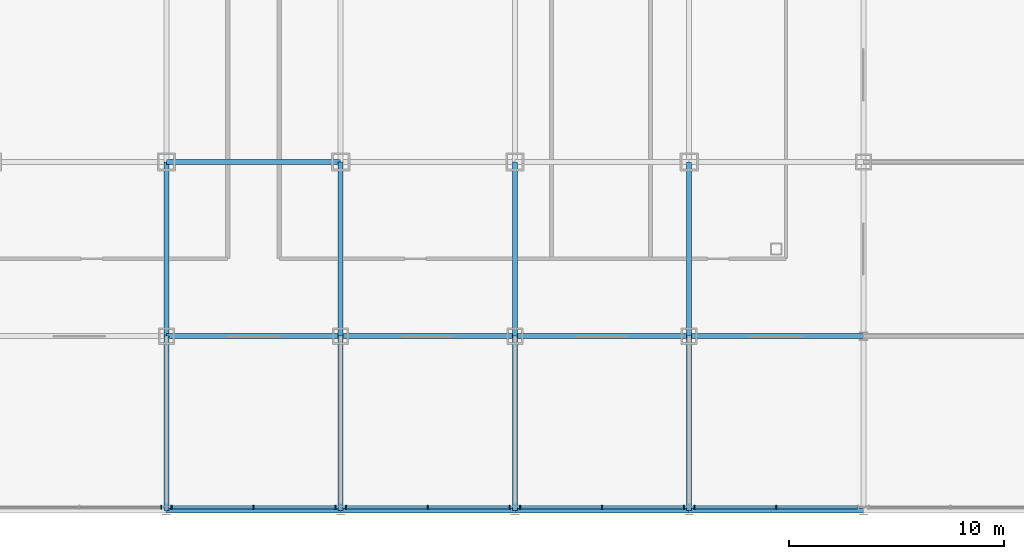
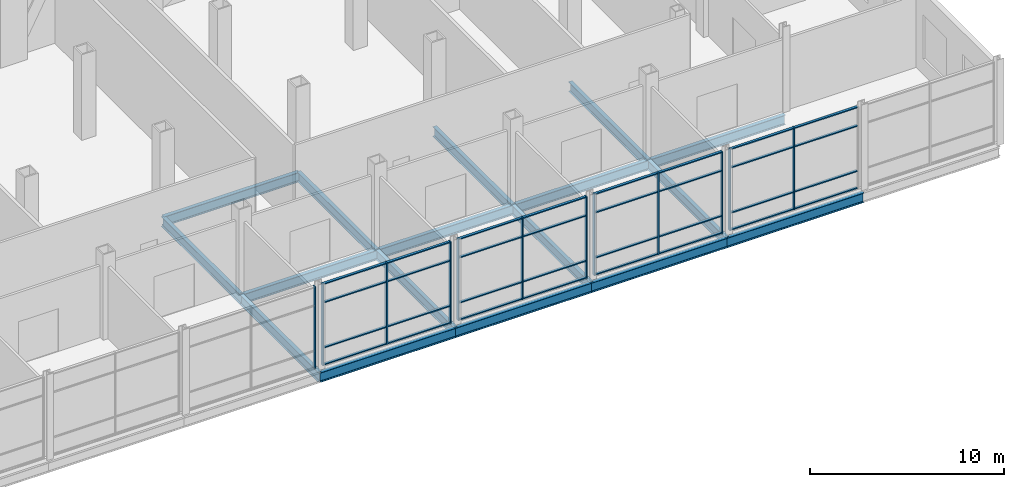
# One storey, part 12 of 30: 44 members, 17 beams, 5 elements without a shape of their own.
"""IFC4 building model written with IfcOpenShell, lengths in metres."""

from ifc_helpers import new_model, si_unit, direction, frame, origin, origin_2d, place, context, subcontext, project, spatial, rectangle, i_section, extrude, material, material_profile, profile_set, type_object, element, aggregate, save


model = new_model("IFC4")

# Units and contexts
model_context = context("Model", 3, precision=1e-05, world=origin(), true_north=direction((0.0, 1.0)))
body_context = subcontext(model_context, "Body", "Model", "MODEL_VIEW")
ifc_project = project(units=[si_unit("LENGTHUNIT", "METRE"), si_unit("AREAUNIT", "SQUARE_METRE"), si_unit("VOLUMEUNIT", "CUBIC_METRE"), si_unit("PLANEANGLEUNIT", "RADIAN"), si_unit("MASSUNIT", "GRAM", prefix="KILO")], contexts=[model_context])

# Site, building, storey
site_placement = place(None, origin())
site = spatial("IfcSite", under=ifc_project, at=site_placement, CompositionType="ELEMENT")
building_placement = place(site_placement, origin())
building = spatial("IfcBuilding", under=site, at=building_placement, Name="Kopane Lantern Tower", CompositionType="ELEMENT")
storey_placement = place(building_placement, frame((0.0, 0.0, 6.0)))
storey = spatial("IfcBuildingStorey", under=building, at=storey_placement, Name="L01", CompositionType="ELEMENT", Elevation=6.0)

# Beams
ifc_material_1 = material(Name="Steel S355JR", Category="steel")
ifc_material_profile_1 = material_profile(ifc_material_1, i_section(OverallWidth=0.22900390625, OverallDepth=0.6123046875, WebThickness=0.011962890625, FlangeThickness=0.01953125, FilletRadius=0.0126953125, at=origin_2d()), Name="UB 610x229x125")
ifc_profile_set_1 = profile_set([ifc_material_profile_1], Name="Steel S355JR")
beam_type = type_object("IfcBeamType", Name="GIRDER UB 610x229x125", PredefinedType="BEAM", material=ifc_profile_set_1)
beam_1_placement = place(storey_placement, frame((24.300048828125, -8.10009765625, -0.55615234375), z_axis=(0.0, 1.0, 0.0), x_axis=(-1.0, 0.0, 0.0)))
element("IfcBeam", 1, at=beam_1_placement, inside=storey, type_object=beam_type, Name="Girder L01", PredefinedType="BEAM", context=body_context, shape_type="SweptSolid", body=[
    extrude(i_section(OverallWidth=0.22900390625, OverallDepth=0.6123046875, WebThickness=0.011962890625, FlangeThickness=0.01953125, FilletRadius=0.0126953125, at=origin_2d()), origin(), (0.0, 0.0, 1.0), 8.10009765625),
])
beam_2_placement = place(storey_placement, frame((24.300048828125, -8.10009765625, -0.55615234375), z_axis=(1.0, 0.0, 0.0), x_axis=(0.0, 1.0, 0.0)))
element("IfcBeam", 2, at=beam_2_placement, inside=storey, type_object=beam_type, Name="Girder L01", PredefinedType="BEAM", context=body_context, shape_type="SweptSolid", body=[
    extrude(i_section(OverallWidth=0.22900390625, OverallDepth=0.6123046875, WebThickness=0.011962890625, FlangeThickness=0.01953125, FilletRadius=0.0126953125, at=origin_2d()), origin(), (0.0, 0.0, 1.0), 8.099853515625),
])
beam_3_placement = place(storey_placement, frame((24.300048828125, 0.0, -0.55615234375), z_axis=(0.0, 1.0, 0.0), x_axis=(-1.0, 0.0, 0.0)))
element("IfcBeam", 3, at=beam_3_placement, inside=storey, type_object=beam_type, Name="Girder L01", PredefinedType="BEAM", context=body_context, shape_type="SweptSolid", body=[
    extrude(i_section(OverallWidth=0.22900390625, OverallDepth=0.6123046875, WebThickness=0.011962890625, FlangeThickness=0.01953125, FilletRadius=0.0126953125, at=origin_2d()), origin(), (0.0, 0.0, 1.0), 8.10009765625),
])
for number, where, z_axis, x_axis, name in (
    (4, (24.300048828125, 0.0, -0.55615234375), (1.0, 0.0, 0.0), (0.0, 1.0, 0.0), "Girder L01"),
    (5, (24.300048828125, 8.10009765625, -0.55615234375), (1.0, 0.0, 0.0), (0.0, 1.0, 0.0), "Girder L01"),
):
    element("IfcBeam", number, at=place(storey_placement, frame(where, z_axis=z_axis, x_axis=x_axis)), inside=storey, type_object=beam_type, Name=name, PredefinedType="BEAM", context=body_context, shape_type="SweptSolid", body=[
        extrude(i_section(OverallWidth=0.22900390625, OverallDepth=0.6123046875, WebThickness=0.011962890625, FlangeThickness=0.01953125, FilletRadius=0.0126953125, at=origin_2d()), origin(), (0.0, 0.0, 1.0), 8.099853515625),
    ])
for number, where, z_axis, x_axis, name in (
    (6, (32.39990234375, -8.10009765625, -0.55615234375), (0.0, 1.0, 0.0), (-1.0, 0.0, 0.0), "Girder L01"),
    (7, (32.39990234375, -8.10009765625, -0.55615234375), (1.0, 0.0, 0.0), (0.0, 1.0, 0.0), "Girder L01"),
    (8, (32.39990234375, 0.0, -0.55615234375), (0.0, 1.0, 0.0), (-1.0, 0.0, 0.0), "Girder L01"),
    (9, (32.39990234375, 0.0, -0.55615234375), (1.0, 0.0, 0.0), (0.0, 1.0, 0.0), "Girder L01"),
    (10, (40.5, -8.10009765625, -0.55615234375), (0.0, 1.0, 0.0), (-1.0, 0.0, 0.0), "Girder L01"),
    (11, (40.5, -8.10009765625, -0.55615234375), (1.0, 0.0, 0.0), (0.0, 1.0, 0.0), "Girder L01"),
    (12, (40.5, 0.0, -0.55615234375), (0.0, 1.0, 0.0), (-1.0, 0.0, 0.0), "Girder L01"),
    (13, (40.5, 0.0, -0.55615234375), (1.0, 0.0, 0.0), (0.0, 1.0, 0.0), "Girder L01"),
    (14, (48.60009765625, -8.10009765625, -0.55615234375), (0.0, 1.0, 0.0), (-1.0, 0.0, 0.0), "Girder L01"),
):
    element("IfcBeam", number, at=place(storey_placement, frame(where, z_axis=z_axis, x_axis=x_axis)), inside=storey, type_object=beam_type, Name=name, PredefinedType="BEAM", context=body_context, shape_type="SweptSolid", body=[
        extrude(i_section(OverallWidth=0.22900390625, OverallDepth=0.6123046875, WebThickness=0.011962890625, FlangeThickness=0.01953125, FilletRadius=0.0126953125, at=origin_2d()), origin(), (0.0, 0.0, 1.0), 8.10009765625),
    ])
beam_4_placement = place(storey_placement, frame((48.60009765625, -8.10009765625, -0.55615234375), z_axis=(1.0, 0.0, 0.0), x_axis=(0.0, 1.0, 0.0)))
element("IfcBeam", 15, at=beam_4_placement, inside=storey, type_object=beam_type, Name="Girder L01", PredefinedType="BEAM", context=body_context, shape_type="SweptSolid", body=[
    extrude(i_section(OverallWidth=0.22900390625, OverallDepth=0.6123046875, WebThickness=0.011962890625, FlangeThickness=0.01953125, FilletRadius=0.0126953125, at=origin_2d()), origin(), (0.0, 0.0, 1.0), 8.099853515625),
])
beam_5_placement = place(storey_placement, frame((48.60009765625, 0.0, -0.55615234375), z_axis=(0.0, 1.0, 0.0), x_axis=(-1.0, 0.0, 0.0)))
element("IfcBeam", 16, at=beam_5_placement, inside=storey, type_object=beam_type, Name="Girder L01", PredefinedType="BEAM", context=body_context, shape_type="SweptSolid", body=[
    extrude(i_section(OverallWidth=0.22900390625, OverallDepth=0.6123046875, WebThickness=0.011962890625, FlangeThickness=0.01953125, FilletRadius=0.0126953125, at=origin_2d()), origin(), (0.0, 0.0, 1.0), 8.10009765625),
])
beam_6_placement = place(storey_placement, frame((48.60009765625, 0.0, -0.55615234375), z_axis=(1.0, 0.0, 0.0), x_axis=(0.0, 1.0, 0.0)))
element("IfcBeam", 17, at=beam_6_placement, inside=storey, type_object=beam_type, Name="Girder L01", PredefinedType="BEAM", context=body_context, shape_type="SweptSolid", body=[
    extrude(i_section(OverallWidth=0.22900390625, OverallDepth=0.6123046875, WebThickness=0.011962890625, FlangeThickness=0.01953125, FilletRadius=0.0126953125, at=origin_2d()), origin(), (0.0, 0.0, 1.0), 8.099853515625),
])

# Curtain wall, member
ifc_material_2 = material(Name="Aluminium and clear glass", Category="aluminium")
curtain_wall_type = type_object("IfcCurtainWallType", Name="CURTAIN WALL CW1 PODIUM STOREFRONT", PredefinedType="USERDEFINED", material=ifc_material_2)
curtain_wall_1_placement = place(storey_placement, origin())
curtain_wall_1 = element("IfcCurtainWall", 18, at=curtain_wall_1_placement, inside=storey, type_object=curtain_wall_type, Name="Curtain wall CW1 S L01", ObjectType="CURTAIN WALL", PredefinedType="USERDEFINED")
ifc_material_3 = material(Name="Aluminium", Category="aluminium")
ifc_material_profile_2 = material_profile(ifc_material_3, rectangle(XDim=0.06494140625, YDim=0.199951171875, at=origin_2d()), Name="AL 65x200")
ifc_profile_set_2 = profile_set([ifc_material_profile_2], Name="Aluminium")
member_type_1 = type_object("IfcMemberType", Name="MULLION CW1-M 65x200", PredefinedType="MULLION", material=ifc_profile_set_2)
member_1_placement = place(storey_placement, frame((24.06103515625, -7.949951171875, 0.0), z_axis=(0.0, 0.0, 1.0), x_axis=(1.0, 0.0, 0.0)))
member_1 = element("IfcMember", 19, at=member_1_placement, type_object=member_type_1, Name="CW1 mullion 3", PredefinedType="MULLION", context=body_context, shape_type="SweptSolid", body=[
    extrude(rectangle(XDim=0.06494140625, YDim=0.199951171875, at=origin_2d()), origin(), (0.0, 0.0, 1.0), 5.14990234375),
])
aggregate(curtain_wall_1, [member_1])

# Curtain wall, members
curtain_wall_2_placement = place(storey_placement, origin())
curtain_wall_2 = element("IfcCurtainWall", 20, at=curtain_wall_2_placement, inside=storey, type_object=curtain_wall_type, Name="Curtain wall CW1 S L01", ObjectType="CURTAIN WALL", PredefinedType="USERDEFINED")
member_2_placement = place(storey_placement, frame((24.5390625, -7.949951171875, 0.0), z_axis=(0.0, 0.0, 1.0), x_axis=(1.0, 0.0, 0.0)))
member_2 = element("IfcMember", 21, at=member_2_placement, type_object=member_type_1, Name="CW1 mullion 1", PredefinedType="MULLION", context=body_context, shape_type="SweptSolid", body=[
    extrude(rectangle(XDim=0.06494140625, YDim=0.199951171875, at=origin_2d()), origin(), (0.0, 0.0, 1.0), 5.14990234375),
])
member_3_placement = place(storey_placement, frame((28.35009765625, -7.949951171875, 0.0), z_axis=(0.0, 0.0, 1.0), x_axis=(1.0, 0.0, 0.0)))
member_3 = element("IfcMember", 22, at=member_3_placement, type_object=member_type_1, Name="CW1 mullion 2", PredefinedType="MULLION", context=body_context, shape_type="SweptSolid", body=[
    extrude(rectangle(XDim=0.06494140625, YDim=0.199951171875, at=origin_2d()), origin(), (0.0, 0.0, 1.0), 5.14990234375),
])
member_4_placement = place(storey_placement, frame((32.160888671875, -7.949951171875, 0.0), z_axis=(0.0, 0.0, 1.0), x_axis=(1.0, 0.0, 0.0)))
member_4 = element("IfcMember", 23, at=member_4_placement, type_object=member_type_1, Name="CW1 mullion 3", PredefinedType="MULLION", context=body_context, shape_type="SweptSolid", body=[
    extrude(rectangle(XDim=0.06494140625, YDim=0.199951171875, at=origin_2d()), origin(), (0.0, 0.0, 1.0), 5.14990234375),
])

curtain_wall_3_placement = place(storey_placement, origin())
curtain_wall_3 = element("IfcCurtainWall", 24, at=curtain_wall_3_placement, inside=storey, type_object=curtain_wall_type, Name="Curtain wall CW1 S L01", ObjectType="CURTAIN WALL", PredefinedType="USERDEFINED")
member_5_placement = place(storey_placement, frame((32.638916015625, -7.949951171875, 0.0), z_axis=(0.0, 0.0, 1.0), x_axis=(1.0, 0.0, 0.0)))
member_5 = element("IfcMember", 25, at=member_5_placement, type_object=member_type_1, Name="CW1 mullion 1", PredefinedType="MULLION", context=body_context, shape_type="SweptSolid", body=[
    extrude(rectangle(XDim=0.06494140625, YDim=0.199951171875, at=origin_2d()), origin(), (0.0, 0.0, 1.0), 5.14990234375),
])
member_6_placement = place(storey_placement, frame((36.449951171875, -7.949951171875, 0.0), z_axis=(0.0, 0.0, 1.0), x_axis=(1.0, 0.0, 0.0)))
member_6 = element("IfcMember", 26, at=member_6_placement, type_object=member_type_1, Name="CW1 mullion 2", PredefinedType="MULLION", context=body_context, shape_type="SweptSolid", body=[
    extrude(rectangle(XDim=0.06494140625, YDim=0.199951171875, at=origin_2d()), origin(), (0.0, 0.0, 1.0), 5.14990234375),
])
member_7_placement = place(storey_placement, frame((40.260986328125, -7.949951171875, 0.0), z_axis=(0.0, 0.0, 1.0), x_axis=(1.0, 0.0, 0.0)))
member_7 = element("IfcMember", 27, at=member_7_placement, type_object=member_type_1, Name="CW1 mullion 3", PredefinedType="MULLION", context=body_context, shape_type="SweptSolid", body=[
    extrude(rectangle(XDim=0.06494140625, YDim=0.199951171875, at=origin_2d()), origin(), (0.0, 0.0, 1.0), 5.14990234375),
])

curtain_wall_4_placement = place(storey_placement, origin())
curtain_wall_4 = element("IfcCurtainWall", 28, at=curtain_wall_4_placement, inside=storey, type_object=curtain_wall_type, Name="Curtain wall CW1 S L01", ObjectType="CURTAIN WALL", PredefinedType="USERDEFINED")
member_8_placement = place(storey_placement, frame((40.739013671875, -7.949951171875, 0.0), z_axis=(0.0, 0.0, 1.0), x_axis=(1.0, 0.0, 0.0)))
member_8 = element("IfcMember", 29, at=member_8_placement, type_object=member_type_1, Name="CW1 mullion 1", PredefinedType="MULLION", context=body_context, shape_type="SweptSolid", body=[
    extrude(rectangle(XDim=0.06494140625, YDim=0.199951171875, at=origin_2d()), origin(), (0.0, 0.0, 1.0), 5.14990234375),
])
member_9_placement = place(storey_placement, frame((44.550048828125, -7.949951171875, 0.0), z_axis=(0.0, 0.0, 1.0), x_axis=(1.0, 0.0, 0.0)))
member_9 = element("IfcMember", 30, at=member_9_placement, type_object=member_type_1, Name="CW1 mullion 2", PredefinedType="MULLION", context=body_context, shape_type="SweptSolid", body=[
    extrude(rectangle(XDim=0.06494140625, YDim=0.199951171875, at=origin_2d()), origin(), (0.0, 0.0, 1.0), 5.14990234375),
])
member_10_placement = place(storey_placement, frame((48.361083984375, -7.949951171875, 0.0), z_axis=(0.0, 0.0, 1.0), x_axis=(1.0, 0.0, 0.0)))
member_10 = element("IfcMember", 31, at=member_10_placement, type_object=member_type_1, Name="CW1 mullion 3", PredefinedType="MULLION", context=body_context, shape_type="SweptSolid", body=[
    extrude(rectangle(XDim=0.06494140625, YDim=0.199951171875, at=origin_2d()), origin(), (0.0, 0.0, 1.0), 5.14990234375),
])

curtain_wall_5_placement = place(storey_placement, origin())
curtain_wall_5 = element("IfcCurtainWall", 32, at=curtain_wall_5_placement, inside=storey, type_object=curtain_wall_type, Name="Curtain wall CW1 S L01", ObjectType="CURTAIN WALL", PredefinedType="USERDEFINED")
member_11_placement = place(storey_placement, frame((48.839111328125, -7.949951171875, 0.0), z_axis=(0.0, 0.0, 1.0), x_axis=(1.0, 0.0, 0.0)))
member_11 = element("IfcMember", 33, at=member_11_placement, type_object=member_type_1, Name="CW1 mullion 1", PredefinedType="MULLION", context=body_context, shape_type="SweptSolid", body=[
    extrude(rectangle(XDim=0.06494140625, YDim=0.199951171875, at=origin_2d()), origin(), (0.0, 0.0, 1.0), 5.14990234375),
])
member_12_placement = place(storey_placement, frame((52.64990234375, -7.949951171875, 0.0), z_axis=(0.0, 0.0, 1.0), x_axis=(1.0, 0.0, 0.0)))
member_12 = element("IfcMember", 34, at=member_12_placement, type_object=member_type_1, Name="CW1 mullion 2", PredefinedType="MULLION", context=body_context, shape_type="SweptSolid", body=[
    extrude(rectangle(XDim=0.06494140625, YDim=0.199951171875, at=origin_2d()), origin(), (0.0, 0.0, 1.0), 5.14990234375),
])

# Member
ifc_material_4 = material(Name="Aluminium", Category="aluminium")
ifc_material_profile_3 = material_profile(ifc_material_4, rectangle(XDim=0.14990234375, YDim=0.06494140625, at=origin_2d()), Name="AL 150x65")
ifc_profile_set_3 = profile_set([ifc_material_profile_3], Name="Aluminium")
member_type_2 = type_object("IfcMemberType", Name="TRANSOM CW1-T 65x150", PredefinedType="USERDEFINED", material=ifc_profile_set_3)
member_13_placement = place(storey_placement, frame((24.571533203125, -7.949951171875, 0.032470703125), z_axis=(1.0, 0.0, 0.0), x_axis=(0.0, 1.0, 0.0)))
member_13 = element("IfcMember", 35, at=member_13_placement, type_object=member_type_2, Name="CW1 transom 1.1", ObjectType="TRANSOM", PredefinedType="USERDEFINED", context=body_context, shape_type="SweptSolid", body=[
    extrude(rectangle(XDim=0.14990234375, YDim=0.06494140625, at=origin_2d()), origin(), (0.0, 0.0, 1.0), 3.745849609375),
])

member_14_placement = place(storey_placement, frame((24.571533203125, -7.949951171875, 1.10009765625), z_axis=(1.0, 0.0, 0.0), x_axis=(0.0, 1.0, 0.0)))
member_14 = element("IfcMember", 36, at=member_14_placement, type_object=member_type_2, Name="CW1 transom 1.2", ObjectType="TRANSOM", PredefinedType="USERDEFINED", context=body_context, shape_type="SweptSolid", body=[
    extrude(rectangle(XDim=0.14990234375, YDim=0.06494140625, at=origin_2d()), origin(), (0.0, 0.0, 1.0), 3.745849609375),
])

member_15_placement = place(storey_placement, frame((24.571533203125, -7.949951171875, 3.949951171875), z_axis=(1.0, 0.0, 0.0), x_axis=(0.0, 1.0, 0.0)))
member_15 = element("IfcMember", 37, at=member_15_placement, type_object=member_type_2, Name="CW1 transom 1.3", ObjectType="TRANSOM", PredefinedType="USERDEFINED", context=body_context, shape_type="SweptSolid", body=[
    extrude(rectangle(XDim=0.14990234375, YDim=0.06494140625, at=origin_2d()), origin(), (0.0, 0.0, 1.0), 3.745849609375),
])

member_16_placement = place(storey_placement, frame((24.571533203125, -7.949951171875, 5.117431640625), z_axis=(1.0, 0.0, 0.0), x_axis=(0.0, 1.0, 0.0)))
member_16 = element("IfcMember", 38, at=member_16_placement, type_object=member_type_2, Name="CW1 transom 1.4", ObjectType="TRANSOM", PredefinedType="USERDEFINED", context=body_context, shape_type="SweptSolid", body=[
    extrude(rectangle(XDim=0.14990234375, YDim=0.06494140625, at=origin_2d()), origin(), (0.0, 0.0, 1.0), 3.745849609375),
])

member_17_placement = place(storey_placement, frame((28.382568359375, -7.949951171875, 0.032470703125), z_axis=(1.0, 0.0, 0.0), x_axis=(0.0, 1.0, 0.0)))
member_17 = element("IfcMember", 39, at=member_17_placement, type_object=member_type_2, Name="CW1 transom 2.1", ObjectType="TRANSOM", PredefinedType="USERDEFINED", context=body_context, shape_type="SweptSolid", body=[
    extrude(rectangle(XDim=0.14990234375, YDim=0.06494140625, at=origin_2d()), origin(), (0.0, 0.0, 1.0), 3.745849609375),
])

member_18_placement = place(storey_placement, frame((28.382568359375, -7.949951171875, 1.10009765625), z_axis=(1.0, 0.0, 0.0), x_axis=(0.0, 1.0, 0.0)))
member_18 = element("IfcMember", 40, at=member_18_placement, type_object=member_type_2, Name="CW1 transom 2.2", ObjectType="TRANSOM", PredefinedType="USERDEFINED", context=body_context, shape_type="SweptSolid", body=[
    extrude(rectangle(XDim=0.14990234375, YDim=0.06494140625, at=origin_2d()), origin(), (0.0, 0.0, 1.0), 3.745849609375),
])

member_19_placement = place(storey_placement, frame((28.382568359375, -7.949951171875, 3.949951171875), z_axis=(1.0, 0.0, 0.0), x_axis=(0.0, 1.0, 0.0)))
member_19 = element("IfcMember", 41, at=member_19_placement, type_object=member_type_2, Name="CW1 transom 2.3", ObjectType="TRANSOM", PredefinedType="USERDEFINED", context=body_context, shape_type="SweptSolid", body=[
    extrude(rectangle(XDim=0.14990234375, YDim=0.06494140625, at=origin_2d()), origin(), (0.0, 0.0, 1.0), 3.745849609375),
])

member_20_placement = place(storey_placement, frame((28.382568359375, -7.949951171875, 5.117431640625), z_axis=(1.0, 0.0, 0.0), x_axis=(0.0, 1.0, 0.0)))
member_20 = element("IfcMember", 42, at=member_20_placement, type_object=member_type_2, Name="CW1 transom 2.4", ObjectType="TRANSOM", PredefinedType="USERDEFINED", context=body_context, shape_type="SweptSolid", body=[
    extrude(rectangle(XDim=0.14990234375, YDim=0.06494140625, at=origin_2d()), origin(), (0.0, 0.0, 1.0), 3.745849609375),
])

aggregate(curtain_wall_2, [member_2, member_3, member_4, member_13, member_14, member_15, member_16, member_17, member_18, member_19, member_20])

member_21_placement = place(storey_placement, frame((32.67138671875, -7.949951171875, 0.032470703125), z_axis=(1.0, 0.0, 0.0), x_axis=(0.0, 1.0, 0.0)))
member_21 = element("IfcMember", 43, at=member_21_placement, type_object=member_type_2, Name="CW1 transom 1.1", ObjectType="TRANSOM", PredefinedType="USERDEFINED", context=body_context, shape_type="SweptSolid", body=[
    extrude(rectangle(XDim=0.14990234375, YDim=0.06494140625, at=origin_2d()), origin(), (0.0, 0.0, 1.0), 3.74609375),
])

member_22_placement = place(storey_placement, frame((32.67138671875, -7.949951171875, 1.10009765625), z_axis=(1.0, 0.0, 0.0), x_axis=(0.0, 1.0, 0.0)))
member_22 = element("IfcMember", 44, at=member_22_placement, type_object=member_type_2, Name="CW1 transom 1.2", ObjectType="TRANSOM", PredefinedType="USERDEFINED", context=body_context, shape_type="SweptSolid", body=[
    extrude(rectangle(XDim=0.14990234375, YDim=0.06494140625, at=origin_2d()), origin(), (0.0, 0.0, 1.0), 3.74609375),
])

member_23_placement = place(storey_placement, frame((32.67138671875, -7.949951171875, 3.949951171875), z_axis=(1.0, 0.0, 0.0), x_axis=(0.0, 1.0, 0.0)))
member_23 = element("IfcMember", 45, at=member_23_placement, type_object=member_type_2, Name="CW1 transom 1.3", ObjectType="TRANSOM", PredefinedType="USERDEFINED", context=body_context, shape_type="SweptSolid", body=[
    extrude(rectangle(XDim=0.14990234375, YDim=0.06494140625, at=origin_2d()), origin(), (0.0, 0.0, 1.0), 3.74609375),
])

member_24_placement = place(storey_placement, frame((32.67138671875, -7.949951171875, 5.117431640625), z_axis=(1.0, 0.0, 0.0), x_axis=(0.0, 1.0, 0.0)))
member_24 = element("IfcMember", 46, at=member_24_placement, type_object=member_type_2, Name="CW1 transom 1.4", ObjectType="TRANSOM", PredefinedType="USERDEFINED", context=body_context, shape_type="SweptSolid", body=[
    extrude(rectangle(XDim=0.14990234375, YDim=0.06494140625, at=origin_2d()), origin(), (0.0, 0.0, 1.0), 3.74609375),
])

member_25_placement = place(storey_placement, frame((36.482421875, -7.949951171875, 0.032470703125), z_axis=(1.0, 0.0, 0.0), x_axis=(0.0, 1.0, 0.0)))
member_25 = element("IfcMember", 47, at=member_25_placement, type_object=member_type_2, Name="CW1 transom 2.1", ObjectType="TRANSOM", PredefinedType="USERDEFINED", context=body_context, shape_type="SweptSolid", body=[
    extrude(rectangle(XDim=0.14990234375, YDim=0.06494140625, at=origin_2d()), origin(), (0.0, 0.0, 1.0), 3.74609375),
])

member_26_placement = place(storey_placement, frame((36.482421875, -7.949951171875, 1.10009765625), z_axis=(1.0, 0.0, 0.0), x_axis=(0.0, 1.0, 0.0)))
member_26 = element("IfcMember", 48, at=member_26_placement, type_object=member_type_2, Name="CW1 transom 2.2", ObjectType="TRANSOM", PredefinedType="USERDEFINED", context=body_context, shape_type="SweptSolid", body=[
    extrude(rectangle(XDim=0.14990234375, YDim=0.06494140625, at=origin_2d()), origin(), (0.0, 0.0, 1.0), 3.74609375),
])

member_27_placement = place(storey_placement, frame((36.482421875, -7.949951171875, 3.949951171875), z_axis=(1.0, 0.0, 0.0), x_axis=(0.0, 1.0, 0.0)))
member_27 = element("IfcMember", 49, at=member_27_placement, type_object=member_type_2, Name="CW1 transom 2.3", ObjectType="TRANSOM", PredefinedType="USERDEFINED", context=body_context, shape_type="SweptSolid", body=[
    extrude(rectangle(XDim=0.14990234375, YDim=0.06494140625, at=origin_2d()), origin(), (0.0, 0.0, 1.0), 3.74609375),
])

member_28_placement = place(storey_placement, frame((36.482421875, -7.949951171875, 5.117431640625), z_axis=(1.0, 0.0, 0.0), x_axis=(0.0, 1.0, 0.0)))
member_28 = element("IfcMember", 50, at=member_28_placement, type_object=member_type_2, Name="CW1 transom 2.4", ObjectType="TRANSOM", PredefinedType="USERDEFINED", context=body_context, shape_type="SweptSolid", body=[
    extrude(rectangle(XDim=0.14990234375, YDim=0.06494140625, at=origin_2d()), origin(), (0.0, 0.0, 1.0), 3.74609375),
])

aggregate(curtain_wall_3, [member_5, member_6, member_7, member_21, member_22, member_23, member_24, member_25, member_26, member_27, member_28])

member_29_placement = place(storey_placement, frame((40.771484375, -7.949951171875, 0.032470703125), z_axis=(1.0, 0.0, 0.0), x_axis=(0.0, 1.0, 0.0)))
member_29 = element("IfcMember", 51, at=member_29_placement, type_object=member_type_2, Name="CW1 transom 1.1", ObjectType="TRANSOM", PredefinedType="USERDEFINED", context=body_context, shape_type="SweptSolid", body=[
    extrude(rectangle(XDim=0.14990234375, YDim=0.06494140625, at=origin_2d()), origin(), (0.0, 0.0, 1.0), 3.74609375),
])

member_30_placement = place(storey_placement, frame((40.771484375, -7.949951171875, 1.10009765625), z_axis=(1.0, 0.0, 0.0), x_axis=(0.0, 1.0, 0.0)))
member_30 = element("IfcMember", 52, at=member_30_placement, type_object=member_type_2, Name="CW1 transom 1.2", ObjectType="TRANSOM", PredefinedType="USERDEFINED", context=body_context, shape_type="SweptSolid", body=[
    extrude(rectangle(XDim=0.14990234375, YDim=0.06494140625, at=origin_2d()), origin(), (0.0, 0.0, 1.0), 3.74609375),
])

member_31_placement = place(storey_placement, frame((40.771484375, -7.949951171875, 3.949951171875), z_axis=(1.0, 0.0, 0.0), x_axis=(0.0, 1.0, 0.0)))
member_31 = element("IfcMember", 53, at=member_31_placement, type_object=member_type_2, Name="CW1 transom 1.3", ObjectType="TRANSOM", PredefinedType="USERDEFINED", context=body_context, shape_type="SweptSolid", body=[
    extrude(rectangle(XDim=0.14990234375, YDim=0.06494140625, at=origin_2d()), origin(), (0.0, 0.0, 1.0), 3.74609375),
])

member_32_placement = place(storey_placement, frame((40.771484375, -7.949951171875, 5.117431640625), z_axis=(1.0, 0.0, 0.0), x_axis=(0.0, 1.0, 0.0)))
member_32 = element("IfcMember", 54, at=member_32_placement, type_object=member_type_2, Name="CW1 transom 1.4", ObjectType="TRANSOM", PredefinedType="USERDEFINED", context=body_context, shape_type="SweptSolid", body=[
    extrude(rectangle(XDim=0.14990234375, YDim=0.06494140625, at=origin_2d()), origin(), (0.0, 0.0, 1.0), 3.74609375),
])

member_33_placement = place(storey_placement, frame((44.58251953125, -7.949951171875, 0.032470703125), z_axis=(1.0, 0.0, 0.0), x_axis=(0.0, 1.0, 0.0)))
member_33 = element("IfcMember", 55, at=member_33_placement, type_object=member_type_2, Name="CW1 transom 2.1", ObjectType="TRANSOM", PredefinedType="USERDEFINED", context=body_context, shape_type="SweptSolid", body=[
    extrude(rectangle(XDim=0.14990234375, YDim=0.06494140625, at=origin_2d()), origin(), (0.0, 0.0, 1.0), 3.74609375),
])

member_34_placement = place(storey_placement, frame((44.58251953125, -7.949951171875, 1.10009765625), z_axis=(1.0, 0.0, 0.0), x_axis=(0.0, 1.0, 0.0)))
member_34 = element("IfcMember", 56, at=member_34_placement, type_object=member_type_2, Name="CW1 transom 2.2", ObjectType="TRANSOM", PredefinedType="USERDEFINED", context=body_context, shape_type="SweptSolid", body=[
    extrude(rectangle(XDim=0.14990234375, YDim=0.06494140625, at=origin_2d()), origin(), (0.0, 0.0, 1.0), 3.74609375),
])

member_35_placement = place(storey_placement, frame((44.58251953125, -7.949951171875, 3.949951171875), z_axis=(1.0, 0.0, 0.0), x_axis=(0.0, 1.0, 0.0)))
member_35 = element("IfcMember", 57, at=member_35_placement, type_object=member_type_2, Name="CW1 transom 2.3", ObjectType="TRANSOM", PredefinedType="USERDEFINED", context=body_context, shape_type="SweptSolid", body=[
    extrude(rectangle(XDim=0.14990234375, YDim=0.06494140625, at=origin_2d()), origin(), (0.0, 0.0, 1.0), 3.74609375),
])

member_36_placement = place(storey_placement, frame((44.58251953125, -7.949951171875, 5.117431640625), z_axis=(1.0, 0.0, 0.0), x_axis=(0.0, 1.0, 0.0)))
member_36 = element("IfcMember", 58, at=member_36_placement, type_object=member_type_2, Name="CW1 transom 2.4", ObjectType="TRANSOM", PredefinedType="USERDEFINED", context=body_context, shape_type="SweptSolid", body=[
    extrude(rectangle(XDim=0.14990234375, YDim=0.06494140625, at=origin_2d()), origin(), (0.0, 0.0, 1.0), 3.74609375),
])

aggregate(curtain_wall_4, [member_8, member_9, member_10, member_29, member_30, member_31, member_32, member_33, member_34, member_35, member_36])

member_37_placement = place(storey_placement, frame((48.87158203125, -7.949951171875, 0.032470703125), z_axis=(1.0, 0.0, 0.0), x_axis=(0.0, 1.0, 0.0)))
member_37 = element("IfcMember", 59, at=member_37_placement, type_object=member_type_2, Name="CW1 transom 1.1", ObjectType="TRANSOM", PredefinedType="USERDEFINED", context=body_context, shape_type="SweptSolid", body=[
    extrude(rectangle(XDim=0.14990234375, YDim=0.06494140625, at=origin_2d()), origin(), (0.0, 0.0, 1.0), 3.745849609375),
])

member_38_placement = place(storey_placement, frame((48.87158203125, -7.949951171875, 1.10009765625), z_axis=(1.0, 0.0, 0.0), x_axis=(0.0, 1.0, 0.0)))
member_38 = element("IfcMember", 60, at=member_38_placement, type_object=member_type_2, Name="CW1 transom 1.2", ObjectType="TRANSOM", PredefinedType="USERDEFINED", context=body_context, shape_type="SweptSolid", body=[
    extrude(rectangle(XDim=0.14990234375, YDim=0.06494140625, at=origin_2d()), origin(), (0.0, 0.0, 1.0), 3.745849609375),
])

member_39_placement = place(storey_placement, frame((48.87158203125, -7.949951171875, 3.949951171875), z_axis=(1.0, 0.0, 0.0), x_axis=(0.0, 1.0, 0.0)))
member_39 = element("IfcMember", 61, at=member_39_placement, type_object=member_type_2, Name="CW1 transom 1.3", ObjectType="TRANSOM", PredefinedType="USERDEFINED", context=body_context, shape_type="SweptSolid", body=[
    extrude(rectangle(XDim=0.14990234375, YDim=0.06494140625, at=origin_2d()), origin(), (0.0, 0.0, 1.0), 3.745849609375),
])

member_40_placement = place(storey_placement, frame((48.87158203125, -7.949951171875, 5.117431640625), z_axis=(1.0, 0.0, 0.0), x_axis=(0.0, 1.0, 0.0)))
member_40 = element("IfcMember", 62, at=member_40_placement, type_object=member_type_2, Name="CW1 transom 1.4", ObjectType="TRANSOM", PredefinedType="USERDEFINED", context=body_context, shape_type="SweptSolid", body=[
    extrude(rectangle(XDim=0.14990234375, YDim=0.06494140625, at=origin_2d()), origin(), (0.0, 0.0, 1.0), 3.745849609375),
])

member_41_placement = place(storey_placement, frame((52.6826171875, -7.949951171875, 0.032470703125), z_axis=(1.0, 0.0, 0.0), x_axis=(0.0, 1.0, 0.0)))
member_41 = element("IfcMember", 63, at=member_41_placement, type_object=member_type_2, Name="CW1 transom 2.1", ObjectType="TRANSOM", PredefinedType="USERDEFINED", context=body_context, shape_type="SweptSolid", body=[
    extrude(rectangle(XDim=0.14990234375, YDim=0.06494140625, at=origin_2d()), origin(), (0.0, 0.0, 1.0), 3.745849609375),
])

member_42_placement = place(storey_placement, frame((52.6826171875, -7.949951171875, 1.10009765625), z_axis=(1.0, 0.0, 0.0), x_axis=(0.0, 1.0, 0.0)))
member_42 = element("IfcMember", 64, at=member_42_placement, type_object=member_type_2, Name="CW1 transom 2.2", ObjectType="TRANSOM", PredefinedType="USERDEFINED", context=body_context, shape_type="SweptSolid", body=[
    extrude(rectangle(XDim=0.14990234375, YDim=0.06494140625, at=origin_2d()), origin(), (0.0, 0.0, 1.0), 3.745849609375),
])

member_43_placement = place(storey_placement, frame((52.6826171875, -7.949951171875, 3.949951171875), z_axis=(1.0, 0.0, 0.0), x_axis=(0.0, 1.0, 0.0)))
member_43 = element("IfcMember", 65, at=member_43_placement, type_object=member_type_2, Name="CW1 transom 2.3", ObjectType="TRANSOM", PredefinedType="USERDEFINED", context=body_context, shape_type="SweptSolid", body=[
    extrude(rectangle(XDim=0.14990234375, YDim=0.06494140625, at=origin_2d()), origin(), (0.0, 0.0, 1.0), 3.745849609375),
])

member_44_placement = place(storey_placement, frame((52.6826171875, -7.949951171875, 5.117431640625), z_axis=(1.0, 0.0, 0.0), x_axis=(0.0, 1.0, 0.0)))
member_44 = element("IfcMember", 66, at=member_44_placement, type_object=member_type_2, Name="CW1 transom 2.4", ObjectType="TRANSOM", PredefinedType="USERDEFINED", context=body_context, shape_type="SweptSolid", body=[
    extrude(rectangle(XDim=0.14990234375, YDim=0.06494140625, at=origin_2d()), origin(), (0.0, 0.0, 1.0), 3.745849609375),
])

aggregate(curtain_wall_5, [member_11, member_12, member_37, member_38, member_39, member_40, member_41, member_42, member_43, member_44])

save(model, "model.ifc")
